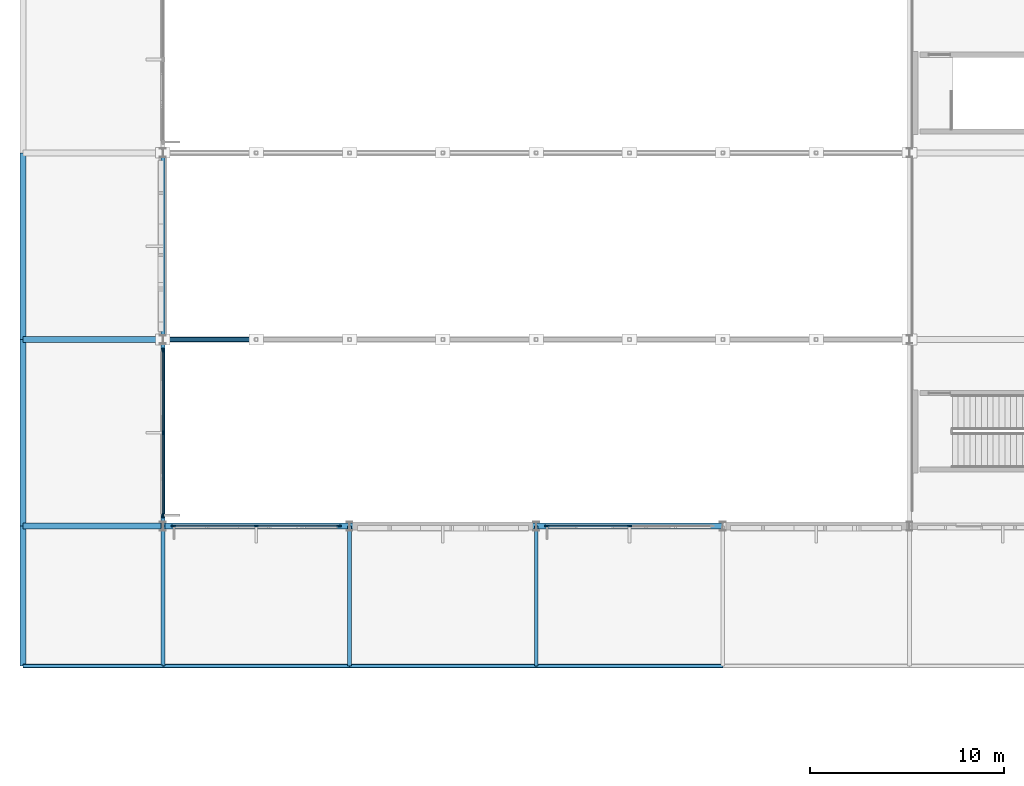
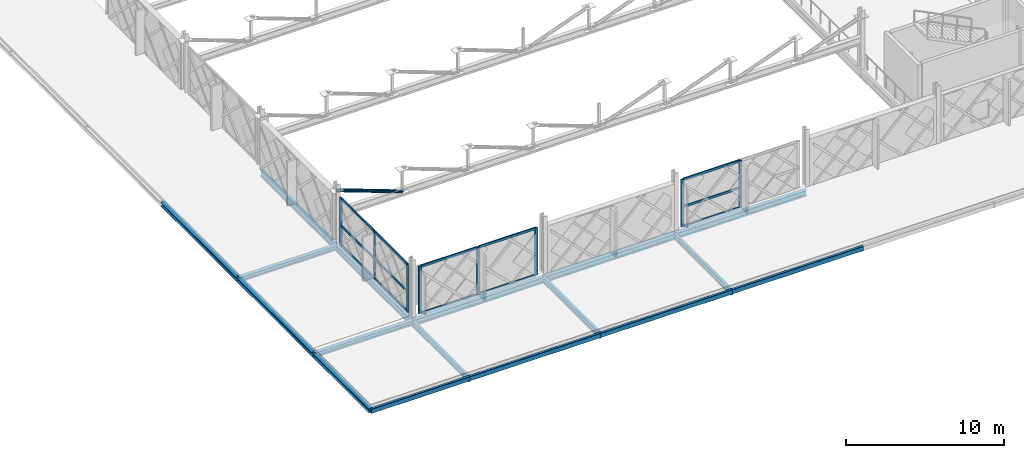
# One storey, part 23 of 101: 22 members, 17 beams, 3 elements without a shape of their own.
"""IFC4 building model written with IfcOpenShell, lengths in metres."""

from ifc_helpers import new_model, si_unit, direction, frame, origin, origin_2d, place, context, subcontext, project, spatial, rectangle, hollow_rectangle, hollow_circle, i_section, extrude, material, layer, layer_set, material_profile, profile_set, type_object, element, aggregate, save


model = new_model("IFC4")

# Units and contexts
model_context = context("Model", 3, precision=1e-05, world=origin(), true_north=direction((0.0, 1.0)))
body_context = subcontext(model_context, "Body", "Model", "MODEL_VIEW")
ifc_project = project(units=[si_unit("LENGTHUNIT", "METRE"), si_unit("AREAUNIT", "SQUARE_METRE"), si_unit("VOLUMEUNIT", "CUBIC_METRE"), si_unit("PLANEANGLEUNIT", "RADIAN"), si_unit("MASSUNIT", "GRAM", prefix="KILO")], contexts=[model_context])

# Site, building, storey
site_placement = place(None, origin())
site = spatial("IfcSite", under=ifc_project, at=site_placement, CompositionType="ELEMENT")
building_placement = place(site_placement, origin())
building = spatial("IfcBuilding", under=site, at=building_placement, Name="Zevrakil Square Congress Hotel", CompositionType="ELEMENT")
storey_placement = place(building_placement, frame((0.0, 0.0, 5.39990234375)))
storey = spatial("IfcBuildingStorey", under=building, at=storey_placement, Name="L02", CompositionType="ELEMENT", Elevation=5.39990234375)

# Beams
ifc_material_1 = material(Name="Steel S355", Category="steel")
ifc_material_profile_1 = material_profile(ifc_material_1, i_section(OverallWidth=0.300048828125, OverallDepth=0.35009765625, WebThickness=0.010009765625, FlangeThickness=0.017578125, FilletRadius=0.027099609375, at=origin_2d()), Name="HEA 360")
ifc_profile_set_1 = profile_set([ifc_material_profile_1], Name="Steel S355")
beam_type_1 = type_object("IfcBeamType", Name="BM-HEA360", PredefinedType="BEAM", material=ifc_profile_set_1)
for number, where, z_axis, x_axis, name in (
    (1, (0.0, 7.199951171875, -0.434814453125), (1.0, 0.0, 0.0), (0.0, 1.0, 0.0), "L02 primary girder BX-0676"),
    (2, (0.0, 16.800048828125, -0.434814453125), (1.0, 0.0, 0.0), (0.0, 1.0, 0.0), "L02 primary girder BX-0692"),
):
    element("IfcBeam", number, at=place(storey_placement, frame(where, z_axis=z_axis, x_axis=x_axis)), inside=storey, type_object=beam_type_1, Name=name, PredefinedType="BEAM", context=body_context, shape_type="SweptSolid", body=[
        extrude(i_section(OverallWidth=0.300048828125, OverallDepth=0.35009765625, WebThickness=0.010009765625, FlangeThickness=0.017578125, FilletRadius=0.027099609375, at=origin_2d()), origin(), (0.0, 0.0, 1.0), 7.199951171875),
    ])
ifc_material_2 = material(Name="Steel S355", Category="steel")
ifc_material_profile_2 = material_profile(ifc_material_2, i_section(OverallWidth=0.300048828125, OverallDepth=0.43994140625, WebThickness=0.011474609375, FlangeThickness=0.02099609375, FilletRadius=0.027099609375, at=origin_2d()), Name="HEA 450")
ifc_profile_set_2 = profile_set([ifc_material_profile_2], Name="Steel S355")
beam_type_2 = type_object("IfcBeamType", Name="BM-HEA450", PredefinedType="BEAM", material=ifc_profile_set_2)
beam_1_placement = place(storey_placement, frame((7.199951171875, 7.199951171875, -0.47998046875), z_axis=(1.0, 0.0, 0.0), x_axis=(0.0, 1.0, 0.0)))
element("IfcBeam", 3, at=beam_1_placement, inside=storey, type_object=beam_type_2, Name="L02 primary girder BX-0677", PredefinedType="BEAM", context=body_context, shape_type="SweptSolid", body=[
    extrude(i_section(OverallWidth=0.300048828125, OverallDepth=0.43994140625, WebThickness=0.011474609375, FlangeThickness=0.02099609375, FilletRadius=0.027099609375, at=origin_2d()), origin(), (0.0, 0.0, 1.0), 9.60009765625),
])
beam_2_placement = place(storey_placement, frame((16.800048828125, 7.199951171875, -0.47998046875), z_axis=(1.0, 0.0, 0.0), x_axis=(0.0, 1.0, 0.0)))
element("IfcBeam", 4, at=beam_2_placement, inside=storey, type_object=beam_type_2, Name="L02 primary girder BX-0678", PredefinedType="BEAM", context=body_context, shape_type="SweptSolid", body=[
    extrude(i_section(OverallWidth=0.300048828125, OverallDepth=0.43994140625, WebThickness=0.011474609375, FlangeThickness=0.02099609375, FilletRadius=0.027099609375, at=origin_2d()), origin(), (0.0, 0.0, 1.0), 9.599853515625),
])
beam_3_placement = place(storey_placement, frame((26.39990234375, 7.199951171875, -0.47998046875), z_axis=(1.0, 0.0, 0.0), x_axis=(0.0, 1.0, 0.0)))
element("IfcBeam", 5, at=beam_3_placement, inside=storey, type_object=beam_type_2, Name="L02 primary girder BX-0679", PredefinedType="BEAM", context=body_context, shape_type="SweptSolid", body=[
    extrude(i_section(OverallWidth=0.300048828125, OverallDepth=0.43994140625, WebThickness=0.011474609375, FlangeThickness=0.02099609375, FilletRadius=0.027099609375, at=origin_2d()), origin(), (0.0, 0.0, 1.0), 9.60009765625),
])
ifc_material_3 = material(Name="Steel S355", Category="steel")
ifc_material_profile_3 = material_profile(ifc_material_3, i_section(OverallWidth=0.18994140625, OverallDepth=0.449951171875, WebThickness=0.009521484375, FlangeThickness=0.0146484375, FilletRadius=0.02099609375, at=origin_2d()), Name="IPE 450")
ifc_profile_set_3 = profile_set([ifc_material_profile_3], Name="Steel S355")
beam_type_3 = type_object("IfcBeamType", Name="BM-IPE450", PredefinedType="BEAM", material=ifc_profile_set_3)
for number, where, z_axis, x_axis, name in (
    (6, (7.199951171875, 0.0, -0.48486328125), (0.0, 1.0, 0.0), (-1.0, 0.0, 0.0), "L02 primary girder BY-0830"),
    (7, (16.800048828125, 0.0, -0.48486328125), (0.0, 1.0, 0.0), (-1.0, 0.0, 0.0), "L02 primary girder BY-0839"),
    (8, (26.39990234375, 0.0, -0.48486328125), (0.0, 1.0, 0.0), (-1.0, 0.0, 0.0), "L02 primary girder BY-0840"),
):
    element("IfcBeam", number, at=place(storey_placement, frame(where, z_axis=z_axis, x_axis=x_axis)), inside=storey, type_object=beam_type_3, Name=name, PredefinedType="BEAM", context=body_context, shape_type="SweptSolid", body=[
        extrude(i_section(OverallWidth=0.18994140625, OverallDepth=0.449951171875, WebThickness=0.009521484375, FlangeThickness=0.0146484375, FilletRadius=0.02099609375, at=origin_2d()), origin(), (0.0, 0.0, 1.0), 7.199951171875),
    ])
ifc_material_4 = material(Name="Steel S355", Category="steel")
ifc_material_profile_4 = material_profile(ifc_material_4, i_section(OverallWidth=0.199951171875, OverallDepth=0.5, WebThickness=0.01025390625, FlangeThickness=0.01611328125, FilletRadius=0.02099609375, at=origin_2d()), Name="IPE 500")
ifc_profile_set_4 = profile_set([ifc_material_profile_4], Name="Steel S355")
beam_type_4 = type_object("IfcBeamType", Name="BM-IPE500", PredefinedType="BEAM", material=ifc_profile_set_4)
beam_4_placement = place(storey_placement, frame((7.199951171875, 7.199951171875, -0.510009765625), z_axis=(0.0, 1.0, 0.0), x_axis=(-1.0, 0.0, 0.0)))
element("IfcBeam", 9, at=beam_4_placement, inside=storey, type_object=beam_type_4, Name="L02 primary girder BY-0831", PredefinedType="BEAM", context=body_context, shape_type="SweptSolid", body=[
    extrude(i_section(OverallWidth=0.199951171875, OverallDepth=0.5, WebThickness=0.01025390625, FlangeThickness=0.01611328125, FilletRadius=0.02099609375, at=origin_2d()), origin(), (0.0, 0.0, 1.0), 9.60009765625),
])
beam_5_placement = place(storey_placement, frame((7.199951171875, 16.800048828125, -0.510009765625), z_axis=(0.0, 1.0, 0.0), x_axis=(-1.0, 0.0, 0.0)))
element("IfcBeam", 10, at=beam_5_placement, inside=storey, type_object=beam_type_4, Name="L02 primary girder BY-0832", PredefinedType="BEAM", context=body_context, shape_type="SweptSolid", body=[
    extrude(i_section(OverallWidth=0.199951171875, OverallDepth=0.5, WebThickness=0.01025390625, FlangeThickness=0.01611328125, FilletRadius=0.02099609375, at=origin_2d()), origin(), (0.0, 0.0, 1.0), 9.599853515625),
])

# Curtain wall, members
ifc_material_5 = material(Name="Aluminium Anodised Bronze", Category="aluminium")
ifc_layer = layer(ifc_material_5, 0.179931640625)
ifc_layer_set = layer_set([ifc_layer], Name="Aluminium Anodised Bronze")
curtain_wall_type = type_object("IfcCurtainWallType", Name="CW-L02-840", PredefinedType="USERDEFINED", material=ifc_layer_set)
curtain_wall_1_placement = place(storey_placement, origin())
curtain_wall_1 = element("IfcCurtainWall", 11, at=curtain_wall_1_placement, inside=storey, type_object=curtain_wall_type, Name="L02 diamond curtain wall CW-L02-0001", ObjectType="GLAZED CURTAIN WALL", PredefinedType="USERDEFINED")
ifc_material_6 = material(Name="Aluminium Anodised Bronze", Category="aluminium")
ifc_material_profile_5 = material_profile(ifc_material_6, rectangle(XDim=0.0849609375, YDim=0.179931640625, at=origin_2d()), Name="ALU 85x180")
ifc_profile_set_5 = profile_set([ifc_material_profile_5], Name="Aluminium Anodised Bronze")
member_type_1 = type_object("IfcMemberType", Name="CWM-ALU85x180", PredefinedType="USERDEFINED", material=ifc_profile_set_5)
member_1_placement = place(storey_placement, frame((7.780029296875, 7.199951171875, 0.030029296875), z_axis=(1.0, 0.0, 0.0), x_axis=(0.0, 1.0, 0.0)))
member_1 = element("IfcMember", 12, at=member_1_placement, type_object=member_type_1, Name="CW-23 transom 1.1", ObjectType="TRANSOM", PredefinedType="USERDEFINED", context=body_context, shape_type="SweptSolid", body=[
    extrude(rectangle(XDim=0.0849609375, YDim=0.179931640625, at=origin_2d()), origin(), (0.0, 0.0, 1.0), 4.18994140625),
])
member_2_placement = place(storey_placement, frame((7.780029296875, 7.199951171875, 3.655029296875), z_axis=(1.0, 0.0, 0.0), x_axis=(0.0, 1.0, 0.0)))
member_2 = element("IfcMember", 13, at=member_2_placement, type_object=member_type_1, Name="CW-23 transom 1.2", ObjectType="TRANSOM", PredefinedType="USERDEFINED", context=body_context, shape_type="SweptSolid", body=[
    extrude(rectangle(XDim=0.0849609375, YDim=0.179931640625, at=origin_2d()), origin(), (0.0, 0.0, 1.0), 4.18994140625),
])
member_3_placement = place(storey_placement, frame((12.030029296875, 7.199951171875, 0.030029296875), z_axis=(1.0, 0.0, 0.0), x_axis=(0.0, 1.0, 0.0)))
member_3 = element("IfcMember", 14, at=member_3_placement, type_object=member_type_1, Name="CW-23 transom 2.1", ObjectType="TRANSOM", PredefinedType="USERDEFINED", context=body_context, shape_type="SweptSolid", body=[
    extrude(rectangle(XDim=0.0849609375, YDim=0.179931640625, at=origin_2d()), origin(), (0.0, 0.0, 1.0), 4.18994140625),
])
member_4_placement = place(storey_placement, frame((12.030029296875, 7.199951171875, 3.655029296875), z_axis=(1.0, 0.0, 0.0), x_axis=(0.0, 1.0, 0.0)))
member_4 = element("IfcMember", 15, at=member_4_placement, type_object=member_type_1, Name="CW-23 transom 2.2", ObjectType="TRANSOM", PredefinedType="USERDEFINED", context=body_context, shape_type="SweptSolid", body=[
    extrude(rectangle(XDim=0.0849609375, YDim=0.179931640625, at=origin_2d()), origin(), (0.0, 0.0, 1.0), 4.18994140625),
])

curtain_wall_2_placement = place(storey_placement, origin())
curtain_wall_2 = element("IfcCurtainWall", 16, at=curtain_wall_2_placement, inside=storey, type_object=curtain_wall_type, Name="L02 diamond curtain wall CW-L02-0002", ObjectType="GLAZED CURTAIN WALL", PredefinedType="USERDEFINED")
member_5_placement = place(storey_placement, frame((26.97998046875, 7.199951171875, 0.030029296875), z_axis=(1.0, 0.0, 0.0), x_axis=(0.0, 1.0, 0.0)))
member_5 = element("IfcMember", 17, at=member_5_placement, type_object=member_type_1, Name="CW-23 transom 1.1", ObjectType="TRANSOM", PredefinedType="USERDEFINED", context=body_context, shape_type="SweptSolid", body=[
    extrude(rectangle(XDim=0.0849609375, YDim=0.179931640625, at=origin_2d()), origin(), (0.0, 0.0, 1.0), 4.18994140625),
])
member_6_placement = place(storey_placement, frame((26.97998046875, 7.199951171875, 1.5478515625), z_axis=(1.0, 0.0, 0.0), x_axis=(0.0, 1.0, 0.0)))
member_6 = element("IfcMember", 18, at=member_6_placement, type_object=member_type_1, Name="CW-23 transom 1.2", ObjectType="TRANSOM", PredefinedType="USERDEFINED", context=body_context, shape_type="SweptSolid", body=[
    extrude(rectangle(XDim=0.0849609375, YDim=0.179931640625, at=origin_2d()), origin(), (0.0, 0.0, 1.0), 4.18994140625),
])
member_7_placement = place(storey_placement, frame((26.97998046875, 7.199951171875, 3.655029296875), z_axis=(1.0, 0.0, 0.0), x_axis=(0.0, 1.0, 0.0)))
member_7 = element("IfcMember", 19, at=member_7_placement, type_object=member_type_1, Name="CW-23 transom 1.3", ObjectType="TRANSOM", PredefinedType="USERDEFINED", context=body_context, shape_type="SweptSolid", body=[
    extrude(rectangle(XDim=0.0849609375, YDim=0.179931640625, at=origin_2d()), origin(), (0.0, 0.0, 1.0), 4.18994140625),
])

curtain_wall_3_placement = place(storey_placement, origin())
curtain_wall_3 = element("IfcCurtainWall", 20, at=curtain_wall_3_placement, inside=storey, type_object=curtain_wall_type, Name="L02 diamond curtain wall CW-L02-0018", ObjectType="GLAZED CURTAIN WALL", PredefinedType="USERDEFINED")
member_8_placement = place(storey_placement, frame((7.199951171875, 7.780029296875, 0.030029296875), z_axis=(0.0, 1.0, 0.0), x_axis=(-1.0, 0.0, 0.0)))
member_8 = element("IfcMember", 21, at=member_8_placement, type_object=member_type_1, Name="CW-23 transom 1.1", ObjectType="TRANSOM", PredefinedType="USERDEFINED", context=body_context, shape_type="SweptSolid", body=[
    extrude(rectangle(XDim=0.0849609375, YDim=0.179931640625, at=origin_2d()), origin(), (0.0, 0.0, 1.0), 4.18994140625),
])
member_9_placement = place(storey_placement, frame((7.199951171875, 7.780029296875, 1.543701171875), z_axis=(0.0, 1.0, 0.0), x_axis=(-1.0, 0.0, 0.0)))
member_9 = element("IfcMember", 22, at=member_9_placement, type_object=member_type_1, Name="CW-23 transom 1.2", ObjectType="TRANSOM", PredefinedType="USERDEFINED", context=body_context, shape_type="SweptSolid", body=[
    extrude(rectangle(XDim=0.0849609375, YDim=0.179931640625, at=origin_2d()), origin(), (0.0, 0.0, 1.0), 4.18994140625),
])
member_10_placement = place(storey_placement, frame((7.199951171875, 7.780029296875, 3.64501953125), z_axis=(0.0, 1.0, 0.0), x_axis=(-1.0, 0.0, 0.0)))
member_10 = element("IfcMember", 23, at=member_10_placement, type_object=member_type_1, Name="CW-23 transom 1.3", ObjectType="TRANSOM", PredefinedType="USERDEFINED", context=body_context, shape_type="SweptSolid", body=[
    extrude(rectangle(XDim=0.0849609375, YDim=0.179931640625, at=origin_2d()), origin(), (0.0, 0.0, 1.0), 4.18994140625),
])
member_11_placement = place(storey_placement, frame((7.199951171875, 12.030029296875, 0.030029296875), z_axis=(0.0, 1.0, 0.0), x_axis=(-1.0, 0.0, 0.0)))
member_11 = element("IfcMember", 24, at=member_11_placement, type_object=member_type_1, Name="CW-23 transom 2.1", ObjectType="TRANSOM", PredefinedType="USERDEFINED", context=body_context, shape_type="SweptSolid", body=[
    extrude(rectangle(XDim=0.0849609375, YDim=0.179931640625, at=origin_2d()), origin(), (0.0, 0.0, 1.0), 4.18994140625),
])
member_12_placement = place(storey_placement, frame((7.199951171875, 12.030029296875, 1.543701171875), z_axis=(0.0, 1.0, 0.0), x_axis=(-1.0, 0.0, 0.0)))
member_12 = element("IfcMember", 25, at=member_12_placement, type_object=member_type_1, Name="CW-23 transom 2.2", ObjectType="TRANSOM", PredefinedType="USERDEFINED", context=body_context, shape_type="SweptSolid", body=[
    extrude(rectangle(XDim=0.0849609375, YDim=0.179931640625, at=origin_2d()), origin(), (0.0, 0.0, 1.0), 4.18994140625),
])
member_13_placement = place(storey_placement, frame((7.199951171875, 12.030029296875, 3.64501953125), z_axis=(0.0, 1.0, 0.0), x_axis=(-1.0, 0.0, 0.0)))
member_13 = element("IfcMember", 26, at=member_13_placement, type_object=member_type_1, Name="CW-23 transom 2.3", ObjectType="TRANSOM", PredefinedType="USERDEFINED", context=body_context, shape_type="SweptSolid", body=[
    extrude(rectangle(XDim=0.0849609375, YDim=0.179931640625, at=origin_2d()), origin(), (0.0, 0.0, 1.0), 4.18994140625),
])

# Member
ifc_material_7 = material(Name="Aluminium Anodised Bronze", Category="aluminium")
ifc_material_profile_6 = material_profile(ifc_material_7, rectangle(XDim=0.0849609375, YDim=0.219970703125, at=origin_2d()), Name="ALU 85x220")
ifc_profile_set_6 = profile_set([ifc_material_profile_6], Name="Aluminium Anodised Bronze")
member_type_2 = type_object("IfcMemberType", Name="CWM-ALU85x220", PredefinedType="MULLION", material=ifc_profile_set_6)
member_14_placement = place(storey_placement, frame((7.75, 7.199951171875, 0.0), z_axis=(0.0, 0.0, 1.0), x_axis=(0.0, 1.0, 0.0)))
member_14 = element("IfcMember", 27, at=member_14_placement, type_object=member_type_2, Name="CW-23 mullion 1", PredefinedType="MULLION", context=body_context, shape_type="SweptSolid", body=[
    extrude(rectangle(XDim=0.0849609375, YDim=0.219970703125, at=origin_2d()), origin(), (0.0, 0.0, 1.0), 3.68505859375),
])

member_15_placement = place(storey_placement, frame((12.0, 7.199951171875, 0.0), z_axis=(0.0, 0.0, 1.0), x_axis=(0.0, 1.0, 0.0)))
member_15 = element("IfcMember", 28, at=member_15_placement, type_object=member_type_2, Name="CW-23 mullion 2", PredefinedType="MULLION", context=body_context, shape_type="SweptSolid", body=[
    extrude(rectangle(XDim=0.0849609375, YDim=0.219970703125, at=origin_2d()), origin(), (0.0, 0.0, 1.0), 3.68505859375),
])

member_16_placement = place(storey_placement, frame((16.25, 7.199951171875, 0.0), z_axis=(0.0, 0.0, 1.0), x_axis=(0.0, 1.0, 0.0)))
member_16 = element("IfcMember", 29, at=member_16_placement, type_object=member_type_2, Name="CW-23 mullion 3", PredefinedType="MULLION", context=body_context, shape_type="SweptSolid", body=[
    extrude(rectangle(XDim=0.0849609375, YDim=0.219970703125, at=origin_2d()), origin(), (0.0, 0.0, 1.0), 3.68505859375),
])

aggregate(curtain_wall_1, [member_14, member_15, member_16, member_1, member_2, member_3, member_4])

member_17_placement = place(storey_placement, frame((26.949951171875, 7.199951171875, 0.0), z_axis=(0.0, 0.0, 1.0), x_axis=(0.0, 1.0, 0.0)))
member_17 = element("IfcMember", 30, at=member_17_placement, type_object=member_type_2, Name="CW-23 mullion 1", PredefinedType="MULLION", context=body_context, shape_type="SweptSolid", body=[
    extrude(rectangle(XDim=0.0849609375, YDim=0.219970703125, at=origin_2d()), origin(), (0.0, 0.0, 1.0), 3.68505859375),
])

member_18_placement = place(storey_placement, frame((31.199951171875, 7.199951171875, 0.0), z_axis=(0.0, 0.0, 1.0), x_axis=(0.0, 1.0, 0.0)))
member_18 = element("IfcMember", 31, at=member_18_placement, type_object=member_type_2, Name="CW-23 mullion 2", PredefinedType="MULLION", context=body_context, shape_type="SweptSolid", body=[
    extrude(rectangle(XDim=0.0849609375, YDim=0.219970703125, at=origin_2d()), origin(), (0.0, 0.0, 1.0), 3.68505859375),
])

aggregate(curtain_wall_2, [member_17, member_18, member_5, member_6, member_7])

member_19_placement = place(storey_placement, frame((7.199951171875, 7.75, 0.0), z_axis=(0.0, 0.0, 1.0), x_axis=(-1.0, 0.0, 0.0)))
member_19 = element("IfcMember", 32, at=member_19_placement, type_object=member_type_2, Name="CW-23 mullion 1", PredefinedType="MULLION", context=body_context, shape_type="SweptSolid", body=[
    extrude(rectangle(XDim=0.0849609375, YDim=0.219970703125, at=origin_2d()), origin(), (0.0, 0.0, 1.0), 3.675048828125),
])

member_20_placement = place(storey_placement, frame((7.199951171875, 12.0, 0.0), z_axis=(0.0, 0.0, 1.0), x_axis=(-1.0, 0.0, 0.0)))
member_20 = element("IfcMember", 33, at=member_20_placement, type_object=member_type_2, Name="CW-23 mullion 2", PredefinedType="MULLION", context=body_context, shape_type="SweptSolid", body=[
    extrude(rectangle(XDim=0.0849609375, YDim=0.219970703125, at=origin_2d()), origin(), (0.0, 0.0, 1.0), 3.675048828125),
])

member_21_placement = place(storey_placement, frame((7.199951171875, 16.25, 0.0), z_axis=(0.0, 0.0, 1.0), x_axis=(-1.0, 0.0, 0.0)))
member_21 = element("IfcMember", 34, at=member_21_placement, type_object=member_type_2, Name="CW-23 mullion 3", PredefinedType="MULLION", context=body_context, shape_type="SweptSolid", body=[
    extrude(rectangle(XDim=0.0849609375, YDim=0.219970703125, at=origin_2d()), origin(), (0.0, 0.0, 1.0), 3.675048828125),
])

aggregate(curtain_wall_3, [member_19, member_20, member_21, member_8, member_9, member_10, member_11, member_12, member_13])

ifc_material_8 = material(Name="Steel S355", Category="steel")
ifc_material_profile_7 = material_profile(ifc_material_8, hollow_circle(Radius=0.122314453125, WallThickness=0.012451171875, at=origin_2d()), Name="CHS 244.5x12.5")
ifc_profile_set_7 = profile_set([ifc_material_profile_7], Name="Steel S355")
member_type_3 = type_object("IfcMemberType", Name="MEM-BRACE-CHS244", PredefinedType="BRACE", material=ifc_profile_set_7)
member_22_placement = place(storey_placement, frame((7.199951171875, 16.800048828125, 3.925048828125), z_axis=(0.937932774607, 0.0, -0.346817113646), x_axis=(0.0, 1.0, 0.0)))
element("IfcMember", 35, at=member_22_placement, inside=storey, type_object=member_type_3, Name="Ballroom Pratt truss diagonal BTD-10", PredefinedType="BRACE", context=body_context, shape_type="SweptSolid", body=[
    extrude(hollow_circle(Radius=0.122314453125, WallThickness=0.012451171875, at=origin_2d()), origin(), (0.0, 0.0, 1.0), 5.11767578125),
])

# Beams
ifc_material_9 = material(Name="Steel S355", Category="steel")
ifc_material_profile_8 = material_profile(ifc_material_9, i_section(OverallWidth=0.300048828125, OverallDepth=0.300048828125, WebThickness=0.010986328125, FlangeThickness=0.01904296875, FilletRadius=0.027099609375, at=origin_2d()), Name="HEB 300")
ifc_profile_set_8 = profile_set([ifc_material_profile_8], Name="Steel S355")
beam_type_5 = type_object("IfcBeamType", Name="SPD-RHS250", PredefinedType="SPANDREL", material=ifc_profile_set_8)
beam_6_placement = place(storey_placement, frame((0.0, 0.0, -0.409912109375), z_axis=(0.0, 1.0, 0.0), x_axis=(-1.0, 0.0, 0.0)))
element("IfcBeam", 36, at=beam_6_placement, inside=storey, type_object=beam_type_5, Name="L02 primary girder BY-0818", PredefinedType="SPANDREL", context=body_context, shape_type="SweptSolid", body=[
    extrude(i_section(OverallWidth=0.300048828125, OverallDepth=0.300048828125, WebThickness=0.010986328125, FlangeThickness=0.01904296875, FilletRadius=0.027099609375, at=origin_2d()), origin(), (0.0, 0.0, 1.0), 7.199951171875),
])
beam_7_placement = place(storey_placement, frame((0.0, 7.199951171875, -0.409912109375), z_axis=(0.0, 1.0, 0.0), x_axis=(-1.0, 0.0, 0.0)))
element("IfcBeam", 37, at=beam_7_placement, inside=storey, type_object=beam_type_5, Name="L02 primary girder BY-0819", PredefinedType="SPANDREL", context=body_context, shape_type="SweptSolid", body=[
    extrude(i_section(OverallWidth=0.300048828125, OverallDepth=0.300048828125, WebThickness=0.010986328125, FlangeThickness=0.01904296875, FilletRadius=0.027099609375, at=origin_2d()), origin(), (0.0, 0.0, 1.0), 9.60009765625),
])
beam_8_placement = place(storey_placement, frame((0.0, 16.800048828125, -0.409912109375), z_axis=(0.0, 1.0, 0.0), x_axis=(-1.0, 0.0, 0.0)))
element("IfcBeam", 38, at=beam_8_placement, inside=storey, type_object=beam_type_5, Name="L02 primary girder BY-0820", PredefinedType="SPANDREL", context=body_context, shape_type="SweptSolid", body=[
    extrude(i_section(OverallWidth=0.300048828125, OverallDepth=0.300048828125, WebThickness=0.010986328125, FlangeThickness=0.01904296875, FilletRadius=0.027099609375, at=origin_2d()), origin(), (0.0, 0.0, 1.0), 9.599853515625),
])
ifc_material_10 = material(Name="Steel S355", Category="steel")
ifc_material_profile_9 = material_profile(ifc_material_10, hollow_rectangle(XDim=0.199951171875, YDim=0.35009765625, WallThickness=0.01611328125, InnerFilletRadius=0.01611328125, OuterFilletRadius=0.031982421875, at=origin_2d()), Name="RHS 350x200x16")
ifc_profile_set_9 = profile_set([ifc_material_profile_9], Name="Steel S355")
beam_type_6 = type_object("IfcBeamType", Name="SPD-RHS350", PredefinedType="SPANDREL", material=ifc_profile_set_9)
beam_9_placement = place(storey_placement, frame((0.0, 0.0, -0.434814453125), z_axis=(1.0, 0.0, 0.0), x_axis=(0.0, 1.0, 0.0)))
element("IfcBeam", 39, at=beam_9_placement, inside=storey, type_object=beam_type_6, Name="L02 primary girder BX-0657", PredefinedType="SPANDREL", context=body_context, shape_type="SweptSolid", body=[
    extrude(hollow_rectangle(XDim=0.199951171875, YDim=0.35009765625, WallThickness=0.01611328125, InnerFilletRadius=0.01611328125, OuterFilletRadius=0.031982421875, at=origin_2d()), origin(), (0.0, 0.0, 1.0), 7.199951171875),
])
beam_10_placement = place(storey_placement, frame((7.199951171875, 0.0, -0.434814453125), z_axis=(1.0, 0.0, 0.0), x_axis=(0.0, 1.0, 0.0)))
element("IfcBeam", 40, at=beam_10_placement, inside=storey, type_object=beam_type_6, Name="L02 primary girder BX-0658", PredefinedType="SPANDREL", context=body_context, shape_type="SweptSolid", body=[
    extrude(hollow_rectangle(XDim=0.199951171875, YDim=0.35009765625, WallThickness=0.01611328125, InnerFilletRadius=0.01611328125, OuterFilletRadius=0.031982421875, at=origin_2d()), origin(), (0.0, 0.0, 1.0), 9.60009765625),
])
beam_11_placement = place(storey_placement, frame((16.800048828125, 0.0, -0.434814453125), z_axis=(1.0, 0.0, 0.0), x_axis=(0.0, 1.0, 0.0)))
element("IfcBeam", 41, at=beam_11_placement, inside=storey, type_object=beam_type_6, Name="L02 primary girder BX-0659", PredefinedType="SPANDREL", context=body_context, shape_type="SweptSolid", body=[
    extrude(hollow_rectangle(XDim=0.199951171875, YDim=0.35009765625, WallThickness=0.01611328125, InnerFilletRadius=0.01611328125, OuterFilletRadius=0.031982421875, at=origin_2d()), origin(), (0.0, 0.0, 1.0), 9.599853515625),
])
beam_12_placement = place(storey_placement, frame((26.39990234375, 0.0, -0.434814453125), z_axis=(1.0, 0.0, 0.0), x_axis=(0.0, 1.0, 0.0)))
element("IfcBeam", 42, at=beam_12_placement, inside=storey, type_object=beam_type_6, Name="L02 primary girder BX-0660", PredefinedType="SPANDREL", context=body_context, shape_type="SweptSolid", body=[
    extrude(hollow_rectangle(XDim=0.199951171875, YDim=0.35009765625, WallThickness=0.01611328125, InnerFilletRadius=0.01611328125, OuterFilletRadius=0.031982421875, at=origin_2d()), origin(), (0.0, 0.0, 1.0), 9.60009765625),
])

save(model, "model.ifc")
